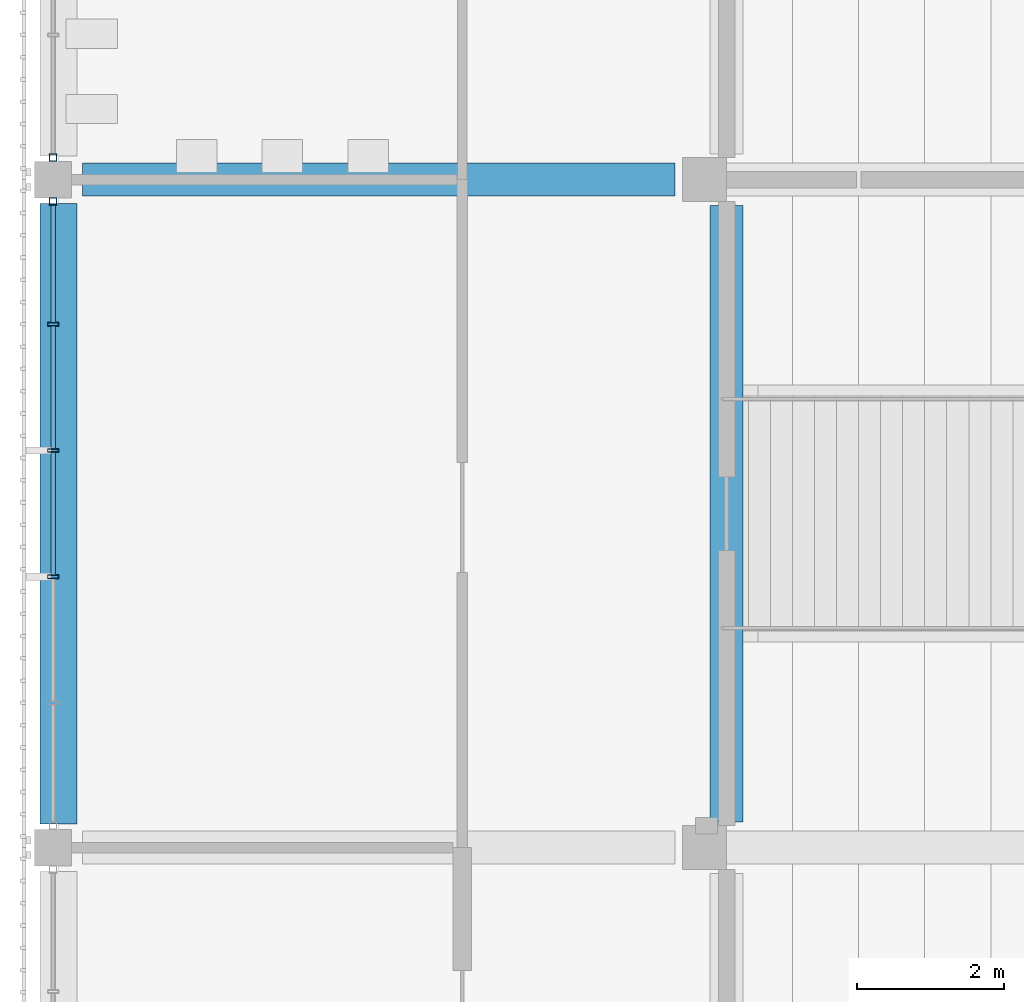
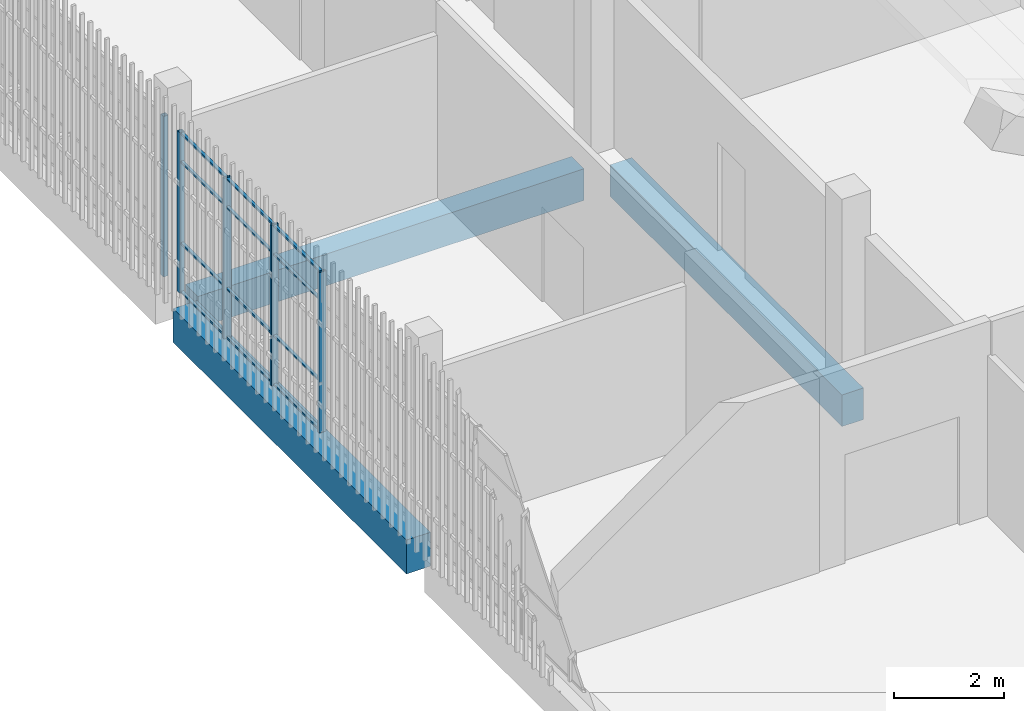
# One storey, part 18 of 139: 17 members, 3 beams, 2 elements without a shape of their own.
"""IFC4 building model written with IfcOpenShell, lengths in metres."""

from ifc_helpers import new_model, si_unit, direction, frame, origin, origin_2d, place, context, subcontext, project, spatial, rectangle, hollow_rectangle, extrude, material, layer, layer_set, material_profile, profile_set, type_object, element, aggregate, save


model = new_model("IFC4")

# Units and contexts
model_context = context("Model", 3, precision=1e-05, world=origin(), true_north=direction((0.0, 1.0)))
body_context = subcontext(model_context, "Body", "Model", "MODEL_VIEW")
ifc_project = project(units=[si_unit("LENGTHUNIT", "METRE"), si_unit("AREAUNIT", "SQUARE_METRE"), si_unit("VOLUMEUNIT", "CUBIC_METRE"), si_unit("PLANEANGLEUNIT", "RADIAN"), si_unit("MASSUNIT", "GRAM", prefix="KILO")], contexts=[model_context])

# Site, building, storey
site_placement = place(None, origin())
site = spatial("IfcSite", under=ifc_project, at=site_placement, CompositionType="ELEMENT")
building_placement = place(site_placement, origin())
building = spatial("IfcBuilding", under=site, at=building_placement, Name="Shirokan Park Arena", CompositionType="ELEMENT")
storey_placement = place(building_placement, frame((0.0, 0.0, 15.469970703125)))
storey = spatial("IfcBuildingStorey", under=building, at=storey_placement, Name="L03", CompositionType="ELEMENT", Elevation=15.469970703125)

# Curtain wall, member
ifc_material_1 = material(Name="Steel and glass curtain wall", Category="steel")
ifc_layer = layer(ifc_material_1, 0.14990234375)
ifc_layer_set = layer_set([ifc_layer], Name="Steel and glass curtain wall 150 mm")
curtain_wall_type = type_object("IfcCurtainWallType", Name="Curtain wall exposed bay 150", PredefinedType="NOTDEFINED", material=ifc_layer_set)
curtain_wall_1_placement = place(storey_placement, origin())
curtain_wall_1 = element("IfcCurtainWall", 1, at=curtain_wall_1_placement, inside=storey, type_object=curtain_wall_type, Name="Curtain wall west bay 6 L03", PredefinedType="NOTDEFINED")
ifc_material_2 = material(Name="Steel S355", Category="steel")
ifc_material_profile_1 = material_profile(ifc_material_2, hollow_rectangle(XDim=0.10009765625, YDim=0.10009765625, WallThickness=0.006103515625, at=origin_2d()), Name="RHS 100x100x6")
ifc_profile_set_1 = profile_set([ifc_material_profile_1], Name="Steel S355")
member_type_1 = type_object("IfcMemberType", Name="Mullion RHS 100x100x6", PredefinedType="MULLION", material=ifc_profile_set_1)
member_1_placement = place(storey_placement, frame((-0.074951171875, 54.89990234375, 0.0), z_axis=(0.0, 0.0, 1.0), x_axis=(1.0, 0.0, 0.0)))
member_1 = element("IfcMember", 2, at=member_1_placement, type_object=member_type_1, Name="CW1 mullion 6", PredefinedType="MULLION", context=body_context, shape_type="SweptSolid", body=[
    extrude(hollow_rectangle(XDim=0.10009765625, YDim=0.10009765625, WallThickness=0.006103515625, at=origin_2d()), origin(), (0.0, 0.0, 1.0), 3.550048828125),
])
aggregate(curtain_wall_1, [member_1])

# Curtain wall, members
curtain_wall_2_placement = place(storey_placement, origin())
curtain_wall_2 = element("IfcCurtainWall", 3, at=curtain_wall_2_placement, inside=storey, type_object=curtain_wall_type, Name="Curtain wall west bay 7 L03", PredefinedType="NOTDEFINED")
member_2_placement = place(storey_placement, frame((-0.074951171875, 54.300048828125, 0.0), z_axis=(0.0, 0.0, 1.0), x_axis=(1.0, 0.0, 0.0)))
member_2 = element("IfcMember", 4, at=member_2_placement, type_object=member_type_1, Name="CW1 mullion 1", PredefinedType="MULLION", context=body_context, shape_type="SweptSolid", body=[
    extrude(hollow_rectangle(XDim=0.10009765625, YDim=0.10009765625, WallThickness=0.006103515625, at=origin_2d()), origin(), (0.0, 0.0, 1.0), 3.550048828125),
])
ifc_material_profile_2 = material_profile(ifc_material_2, hollow_rectangle(XDim=0.14990234375, YDim=0.050048828125, WallThickness=0.006103515625, at=origin_2d()), Name="RHS 150x50x6")
ifc_profile_set_2 = profile_set([ifc_material_profile_2], Name="Steel S355")
member_type_2 = type_object("IfcMemberType", Name="Mullion RHS 150x50x6", PredefinedType="MULLION", material=ifc_profile_set_2)
member_3_placement = place(storey_placement, frame((-0.074951171875, 52.6298828125, 0.0), z_axis=(0.0, 0.0, 1.0), x_axis=(1.0, 0.0, 0.0)))
member_3 = element("IfcMember", 5, at=member_3_placement, type_object=member_type_2, Name="CW1 mullion 2", PredefinedType="MULLION", context=body_context, shape_type="SweptSolid", body=[
    extrude(hollow_rectangle(XDim=0.14990234375, YDim=0.050048828125, WallThickness=0.006103515625, at=origin_2d()), origin(), (0.0, 0.0, 1.0), 3.550048828125),
])
member_4_placement = place(storey_placement, frame((-0.074951171875, 50.909912109375, 0.0), z_axis=(0.0, 0.0, 1.0), x_axis=(1.0, 0.0, 0.0)))
member_4 = element("IfcMember", 6, at=member_4_placement, type_object=member_type_2, Name="CW1 mullion 3", PredefinedType="MULLION", context=body_context, shape_type="SweptSolid", body=[
    extrude(hollow_rectangle(XDim=0.14990234375, YDim=0.050048828125, WallThickness=0.006103515625, at=origin_2d()), origin(), (0.0, 0.0, 1.0), 3.550048828125),
])
member_5_placement = place(storey_placement, frame((-0.074951171875, 49.18994140625, 0.0), z_axis=(0.0, 0.0, 1.0), x_axis=(1.0, 0.0, 0.0)))
member_5 = element("IfcMember", 7, at=member_5_placement, type_object=member_type_2, Name="CW1 mullion 4", PredefinedType="MULLION", context=body_context, shape_type="SweptSolid", body=[
    extrude(hollow_rectangle(XDim=0.14990234375, YDim=0.050048828125, WallThickness=0.006103515625, at=origin_2d()), origin(), (0.0, 0.0, 1.0), 3.550048828125),
])

# Beams
ifc_material_3 = material(Name="Concrete C35", Category="concrete")
ifc_material_profile_3 = material_profile(ifc_material_3, rectangle(XDim=0.449951171875, YDim=0.699951171875, at=origin_2d()), Name="450x700")
ifc_profile_set_3 = profile_set([ifc_material_profile_3], Name="Concrete C35")
beam_type_1 = type_object("IfcBeamType", Name="RC girder 450x700", PredefinedType="BEAM", material=ifc_profile_set_3)
beam_1_placement = place(storey_placement, frame((0.3251953125, 54.60009765625, -0.64990234375), z_axis=(1.0, 0.0, 0.0), x_axis=(0.0, 1.0, 0.0)))
element("IfcBeam", 8, at=beam_1_placement, inside=storey, type_object=beam_type_1, Name="Girder 1G-2G L03", PredefinedType="BEAM", context=body_context, shape_type="SweptSolid", body=[
    extrude(rectangle(XDim=0.449951171875, YDim=0.699951171875, at=origin_2d()), origin(), (0.0, 0.0, 1.0), 8.07470703125),
])
beam_2_placement = place(storey_placement, frame((9.10009765625, 45.85009765625, -0.64990234375), z_axis=(0.0, 1.0, 0.0), x_axis=(-1.0, 0.0, 0.0)))
element("IfcBeam", 9, at=beam_2_placement, inside=storey, type_object=beam_type_1, Name="Girder 2F-2G L03", PredefinedType="BEAM", context=body_context, shape_type="SweptSolid", body=[
    extrude(rectangle(XDim=0.449951171875, YDim=0.699951171875, at=origin_2d()), origin(), (0.0, 0.0, 1.0), 8.39990234375),
])
ifc_material_profile_4 = material_profile(ifc_material_3, rectangle(XDim=0.5, YDim=0.75, at=origin_2d()), Name="500x750")
ifc_profile_set_4 = profile_set([ifc_material_profile_4], Name="Concrete C35")
beam_type_2 = type_object("IfcBeamType", Name="RC girder 500x750", PredefinedType="BEAM", material=ifc_profile_set_4)
beam_3_placement = place(storey_placement, frame((0.0, 45.8251953125, -0.675048828125), z_axis=(0.0, 1.0, 0.0), x_axis=(-1.0, 0.0, 0.0)))
element("IfcBeam", 10, at=beam_3_placement, inside=storey, type_object=beam_type_2, Name="Girder 1F-1G L03", PredefinedType="BEAM", context=body_context, shape_type="SweptSolid", body=[
    extrude(rectangle(XDim=0.5, YDim=0.75, at=origin_2d()), origin(), (0.0, 0.0, 1.0), 8.44970703125),
])

# Member
ifc_material_profile_5 = material_profile(ifc_material_2, hollow_rectangle(XDim=0.06005859375, YDim=0.0400390625, WallThickness=0.00390625, at=origin_2d()), Name="RHS 60x40x4")
ifc_profile_set_5 = profile_set([ifc_material_profile_5], Name="Steel S355")
member_type_3 = type_object("IfcMemberType", Name="Transom RHS 60x40x4", PredefinedType="MULLION", material=ifc_profile_set_5)
member_6_placement = place(storey_placement, frame((-0.074951171875, 54.25, 0.02001953125), z_axis=(0.0, -1.0, 0.0), x_axis=(1.0, 0.0, 0.0)))
member_6 = element("IfcMember", 11, at=member_6_placement, type_object=member_type_3, Name="CW1 transom 1.1", PredefinedType="MULLION", context=body_context, shape_type="SweptSolid", body=[
    extrude(hollow_rectangle(XDim=0.06005859375, YDim=0.0400390625, WallThickness=0.00390625, at=origin_2d()), origin(), (0.0, 0.0, 1.0), 1.594970703125),
])

member_7_placement = place(storey_placement, frame((-0.074951171875, 54.25, 1.10009765625), z_axis=(0.0, -1.0, 0.0), x_axis=(1.0, 0.0, 0.0)))
member_7 = element("IfcMember", 12, at=member_7_placement, type_object=member_type_3, Name="CW1 transom 1.2", PredefinedType="MULLION", context=body_context, shape_type="SweptSolid", body=[
    extrude(hollow_rectangle(XDim=0.06005859375, YDim=0.0400390625, WallThickness=0.00390625, at=origin_2d()), origin(), (0.0, 0.0, 1.0), 1.594970703125),
])

member_8_placement = place(storey_placement, frame((-0.074951171875, 54.25, 2.900146484375), z_axis=(0.0, -1.0, 0.0), x_axis=(1.0, 0.0, 0.0)))
member_8 = element("IfcMember", 13, at=member_8_placement, type_object=member_type_3, Name="CW1 transom 1.3", PredefinedType="MULLION", context=body_context, shape_type="SweptSolid", body=[
    extrude(hollow_rectangle(XDim=0.06005859375, YDim=0.0400390625, WallThickness=0.00390625, at=origin_2d()), origin(), (0.0, 0.0, 1.0), 1.594970703125),
])

member_9_placement = place(storey_placement, frame((-0.074951171875, 54.25, 3.530029296875), z_axis=(0.0, -1.0, 0.0), x_axis=(1.0, 0.0, 0.0)))
member_9 = element("IfcMember", 14, at=member_9_placement, type_object=member_type_3, Name="CW1 transom 1.4", PredefinedType="MULLION", context=body_context, shape_type="SweptSolid", body=[
    extrude(hollow_rectangle(XDim=0.06005859375, YDim=0.0400390625, WallThickness=0.00390625, at=origin_2d()), origin(), (0.0, 0.0, 1.0), 1.594970703125),
])

member_10_placement = place(storey_placement, frame((-0.074951171875, 52.60498046875, 0.02001953125), z_axis=(0.0, -1.0, 0.0), x_axis=(1.0, 0.0, 0.0)))
member_10 = element("IfcMember", 15, at=member_10_placement, type_object=member_type_3, Name="CW1 transom 2.1", PredefinedType="MULLION", context=body_context, shape_type="SweptSolid", body=[
    extrude(hollow_rectangle(XDim=0.06005859375, YDim=0.0400390625, WallThickness=0.00390625, at=origin_2d()), origin(), (0.0, 0.0, 1.0), 1.669921875),
])

member_11_placement = place(storey_placement, frame((-0.074951171875, 52.60498046875, 1.10009765625), z_axis=(0.0, -1.0, 0.0), x_axis=(1.0, 0.0, 0.0)))
member_11 = element("IfcMember", 16, at=member_11_placement, type_object=member_type_3, Name="CW1 transom 2.2", PredefinedType="MULLION", context=body_context, shape_type="SweptSolid", body=[
    extrude(hollow_rectangle(XDim=0.06005859375, YDim=0.0400390625, WallThickness=0.00390625, at=origin_2d()), origin(), (0.0, 0.0, 1.0), 1.669921875),
])

member_12_placement = place(storey_placement, frame((-0.074951171875, 52.60498046875, 2.900146484375), z_axis=(0.0, -1.0, 0.0), x_axis=(1.0, 0.0, 0.0)))
member_12 = element("IfcMember", 17, at=member_12_placement, type_object=member_type_3, Name="CW1 transom 2.3", PredefinedType="MULLION", context=body_context, shape_type="SweptSolid", body=[
    extrude(hollow_rectangle(XDim=0.06005859375, YDim=0.0400390625, WallThickness=0.00390625, at=origin_2d()), origin(), (0.0, 0.0, 1.0), 1.669921875),
])

member_13_placement = place(storey_placement, frame((-0.074951171875, 52.60498046875, 3.530029296875), z_axis=(0.0, -1.0, 0.0), x_axis=(1.0, 0.0, 0.0)))
member_13 = element("IfcMember", 18, at=member_13_placement, type_object=member_type_3, Name="CW1 transom 2.4", PredefinedType="MULLION", context=body_context, shape_type="SweptSolid", body=[
    extrude(hollow_rectangle(XDim=0.06005859375, YDim=0.0400390625, WallThickness=0.00390625, at=origin_2d()), origin(), (0.0, 0.0, 1.0), 1.669921875),
])

member_14_placement = place(storey_placement, frame((-0.074951171875, 50.885009765625, 0.02001953125), z_axis=(0.0, -1.0, 0.0), x_axis=(1.0, 0.0, 0.0)))
member_14 = element("IfcMember", 19, at=member_14_placement, type_object=member_type_3, Name="CW1 transom 3.1", PredefinedType="MULLION", context=body_context, shape_type="SweptSolid", body=[
    extrude(hollow_rectangle(XDim=0.06005859375, YDim=0.0400390625, WallThickness=0.00390625, at=origin_2d()), origin(), (0.0, 0.0, 1.0), 1.669921875),
])

member_15_placement = place(storey_placement, frame((-0.074951171875, 50.885009765625, 1.10009765625), z_axis=(0.0, -1.0, 0.0), x_axis=(1.0, 0.0, 0.0)))
member_15 = element("IfcMember", 20, at=member_15_placement, type_object=member_type_3, Name="CW1 transom 3.2", PredefinedType="MULLION", context=body_context, shape_type="SweptSolid", body=[
    extrude(hollow_rectangle(XDim=0.06005859375, YDim=0.0400390625, WallThickness=0.00390625, at=origin_2d()), origin(), (0.0, 0.0, 1.0), 1.669921875),
])

member_16_placement = place(storey_placement, frame((-0.074951171875, 50.885009765625, 2.900146484375), z_axis=(0.0, -1.0, 0.0), x_axis=(1.0, 0.0, 0.0)))
member_16 = element("IfcMember", 21, at=member_16_placement, type_object=member_type_3, Name="CW1 transom 3.3", PredefinedType="MULLION", context=body_context, shape_type="SweptSolid", body=[
    extrude(hollow_rectangle(XDim=0.06005859375, YDim=0.0400390625, WallThickness=0.00390625, at=origin_2d()), origin(), (0.0, 0.0, 1.0), 1.669921875),
])

member_17_placement = place(storey_placement, frame((-0.074951171875, 50.885009765625, 3.530029296875), z_axis=(0.0, -1.0, 0.0), x_axis=(1.0, 0.0, 0.0)))
member_17 = element("IfcMember", 22, at=member_17_placement, type_object=member_type_3, Name="CW1 transom 3.4", PredefinedType="MULLION", context=body_context, shape_type="SweptSolid", body=[
    extrude(hollow_rectangle(XDim=0.06005859375, YDim=0.0400390625, WallThickness=0.00390625, at=origin_2d()), origin(), (0.0, 0.0, 1.0), 1.669921875),
])

aggregate(curtain_wall_2, [member_2, member_3, member_4, member_5, member_6, member_7, member_8, member_9, member_10, member_11, member_12, member_13, member_14, member_15, member_16, member_17])

save(model, "model.ifc")
